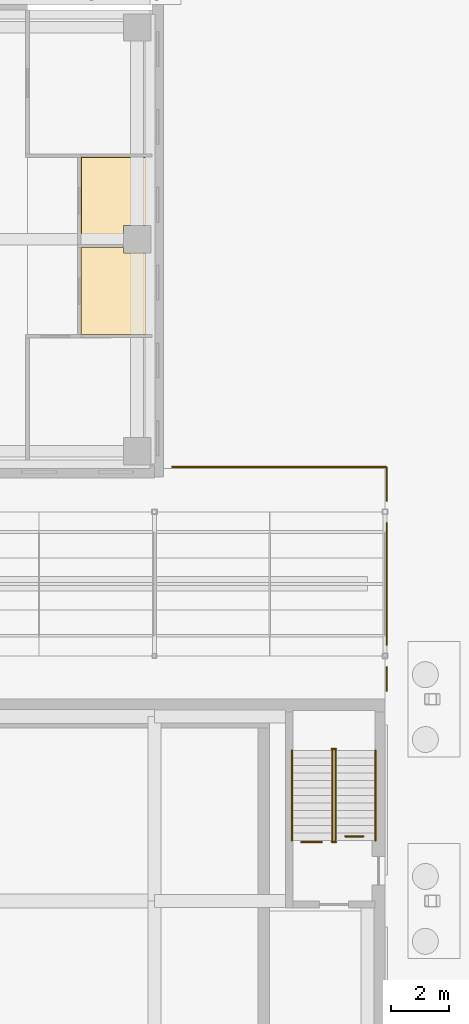
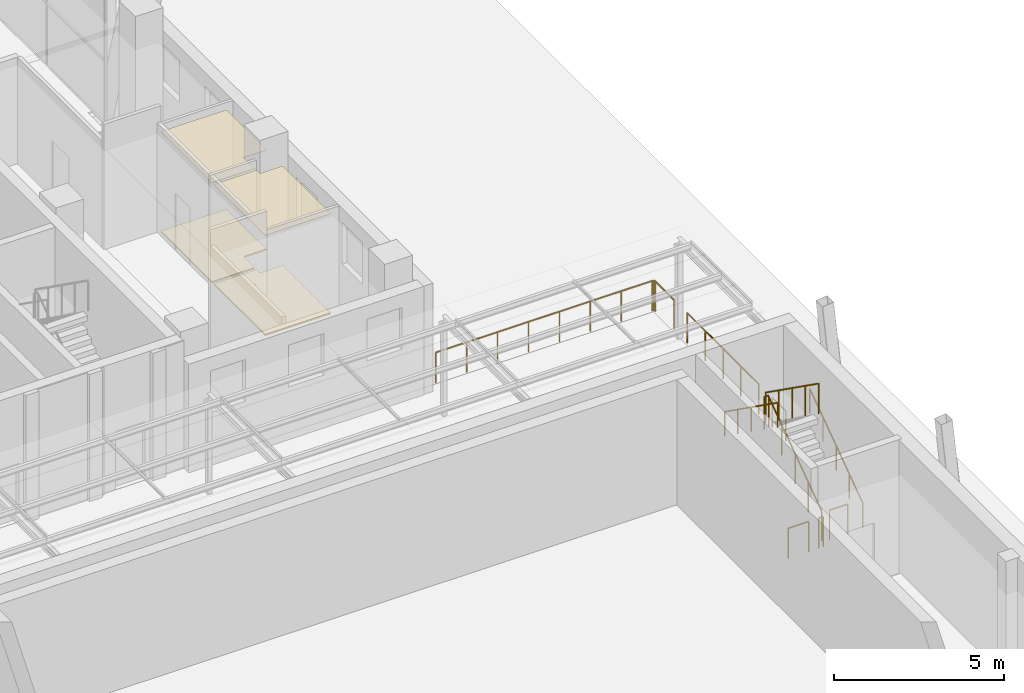
# One storey, part 127 of 144: 11 railings, 4 coverings.
"""IFC4 building model written with IfcOpenShell, lengths in metres."""

from ifc_helpers import new_model, si_unit, direction, frame, origin, origin_2d, place, context, subcontext, project, spatial, polyline, circle, outline, extrude, material, layer, layer_set, type_object, element, save


model = new_model("IFC4")

# Units and contexts
model_context = context("Model", 3, precision=1e-05, world=origin(), true_north=direction((0.0, 1.0)))
body_context = subcontext(model_context, "Body", "Model", "MODEL_VIEW")
ifc_project = project(units=[si_unit("LENGTHUNIT", "METRE"), si_unit("AREAUNIT", "SQUARE_METRE"), si_unit("VOLUMEUNIT", "CUBIC_METRE"), si_unit("PLANEANGLEUNIT", "RADIAN"), si_unit("MASSUNIT", "GRAM", prefix="KILO")], contexts=[model_context])

# Site, building, storey
site_placement = place(None, origin())
site = spatial("IfcSite", under=ifc_project, at=site_placement, CompositionType="ELEMENT")
building_placement = place(site_placement, origin())
building = spatial("IfcBuilding", under=site, at=building_placement, Name="Lantern Court Media Centre", CompositionType="ELEMENT")
storey_placement = place(building_placement, origin())
storey = spatial("IfcBuildingStorey", under=building, at=storey_placement, Name="L00", CompositionType="ELEMENT", Elevation=0.0)

# Coverings
ifc_material_1 = material(Name="Carpet")
ifc_layer_1 = layer(ifc_material_1, 0.050048828125)
ifc_layer_set_1 = layer_set([ifc_layer_1], Name="Carpet")
covering_type_1 = type_object("IfcCoveringType", Name="Carpet floor finish", PredefinedType="FLOORING", material=ifc_layer_set_1)
covering_1_placement = place(storey_placement, origin())
element("IfcCovering", 1, at=covering_1_placement, inside=storey, type_object=covering_type_1, Name="WC Male floor finish", PredefinedType="FLOORING", context=body_context, shape_type="SweptSolid", body=[
    extrude(outline(polyline([(95.699951171875, 52.64599609375), (93.467529296875, 52.64599609375), (93.467529296875, 55.666015625), (94.919921875, 55.666015625), (94.923583984375, 55.47021484375), (95.699951171875, 55.469970703125), (95.699951171875, 52.64599609375)])), origin(), (0.0, 0.0, 1.0), 0.050048828125),
])
covering_2_placement = place(storey_placement, origin())
element("IfcCovering", 2, at=covering_2_placement, inside=storey, type_object=covering_type_1, Name="WC Female floor finish", PredefinedType="FLOORING", context=body_context, shape_type="SweptSolid", body=[
    extrude(outline(polyline([(95.699951171875, 56.429931640625), (94.921875, 56.428955078125), (94.919921875, 55.77587890625), (93.467529296875, 55.77587890625), (93.467529296875, 58.797119140625), (95.699951171875, 58.797119140625), (95.699951171875, 56.429931640625)])), origin(), (0.0, 0.0, 1.0), 0.050048828125),
])

# Railings
ifc_material_2 = material(Name="Powder-coated steel", Category="steel")
railing_type_1 = type_object("IfcRailingType", Name="Floor edge guard 1100", PredefinedType="GUARDRAIL", material=ifc_material_2)
railing_1_placement = place(storey_placement, frame((101.10009765625, 35.040283203125, 0.0)))
element("IfcRailing", 3, at=railing_1_placement, inside=storey, type_object=railing_type_1, Name="L00 opening guard 7", PredefinedType="GUARDRAIL", context=body_context, shape_type="SweptSolid", body=[
    extrude(circle(Radius=0.02392578125, at=origin_2d()), frame((0.0, 0.0, 1.076171875), z_axis=(1.0, 0.0, 0.0), x_axis=(0.0, 1.0, 0.0)), (0.0, 0.0, 1.0), 0.70361328125),
    extrude(circle(Radius=0.02099609375, at=origin_2d()), origin(), (0.0, 0.0, 1.0), 1.052001953125),
    extrude(circle(Radius=0.02099609375, at=origin_2d()), frame((0.70361328125, 0.0, 0.0)), (0.0, 0.0, 1.0), 1.052001953125),
])
railing_2_placement = place(storey_placement, frame((102.6259765625, 35.240478515625, 0.0)))
element("IfcRailing", 4, at=railing_2_placement, inside=storey, type_object=railing_type_1, Name="L00 opening guard 8", PredefinedType="GUARDRAIL", context=body_context, shape_type="SweptSolid", body=[
    extrude(circle(Radius=0.02392578125, at=origin_2d()), frame((0.0, 0.0, 1.076171875), z_axis=(1.0, 0.0, 0.0), x_axis=(0.0, 1.0, 0.0)), (0.0, 0.0, 1.0), 0.6240234375),
    extrude(circle(Radius=0.02099609375, at=origin_2d()), origin(), (0.0, 0.0, 1.0), 1.052001953125),
    extrude(circle(Radius=0.02099609375, at=origin_2d()), frame((0.6240234375, 0.0, 0.0)), (0.0, 0.0, 1.0), 1.052001953125),
])
railing_3_placement = place(storey_placement, frame((104.06005859375, 40.300048828125, 0.0)))
element("IfcRailing", 5, at=railing_3_placement, inside=storey, type_object=railing_type_1, Name="L00 opening guard 14", PredefinedType="GUARDRAIL", context=body_context, shape_type="SweptSolid", body=[
    extrude(circle(Radius=0.02392578125, at=origin_2d()), frame((0.0, 0.0, 1.076171875), z_axis=(0.0, 1.0, 0.0), x_axis=(-1.0, 0.0, 0.0)), (0.0, 0.0, 1.0), 0.81005859375),
    extrude(circle(Radius=0.02099609375, at=origin_2d()), origin(), (0.0, 0.0, 1.0), 1.052001953125),
    extrude(circle(Radius=0.02099609375, at=origin_2d()), frame((0.0, 0.81005859375, 0.0)), (0.0, 0.0, 1.0), 1.052001953125),
])
railing_4_placement = place(storey_placement, frame((104.06005859375, 41.889892578125, 0.0)))
element("IfcRailing", 6, at=railing_4_placement, inside=storey, type_object=railing_type_1, Name="L00 opening guard 15", PredefinedType="GUARDRAIL", context=body_context, shape_type="SweptSolid", body=[
    extrude(circle(Radius=0.02392578125, at=origin_2d()), frame((0.0, 0.0, 1.076171875), z_axis=(0.0, 1.0, 0.0), x_axis=(-1.0, 0.0, 0.0)), (0.0, 0.0, 1.0), 4.22021484375),
    extrude(circle(Radius=0.02099609375, at=origin_2d()), origin(), (0.0, 0.0, 1.0), 1.052001953125),
    extrude(circle(Radius=0.02099609375, at=origin_2d()), frame((0.0, 1.05517578125, 0.0)), (0.0, 0.0, 1.0), 1.052001953125),
    extrude(circle(Radius=0.02099609375, at=origin_2d()), frame((0.0, 2.110107421875, 0.0)), (0.0, 0.0, 1.0), 1.052001953125),
    extrude(circle(Radius=0.02099609375, at=origin_2d()), frame((0.0, 3.1650390625, 0.0)), (0.0, 0.0, 1.0), 1.052001953125),
    extrude(circle(Radius=0.02099609375, at=origin_2d()), frame((0.0, 4.22021484375, 0.0)), (0.0, 0.0, 1.0), 1.052001953125),
])
railing_5_placement = place(storey_placement, frame((104.06005859375, 46.889892578125, 0.0)))
element("IfcRailing", 7, at=railing_5_placement, inside=storey, type_object=railing_type_1, Name="L00 opening guard 16", PredefinedType="GUARDRAIL", context=body_context, shape_type="SweptSolid", body=[
    extrude(circle(Radius=0.02392578125, at=origin_2d()), frame((0.0, 0.0, 1.076171875), z_axis=(0.0, 1.0, 0.0), x_axis=(-1.0, 0.0, 0.0)), (0.0, 0.0, 1.0), 1.110107421875),
    extrude(circle(Radius=0.02392578125, at=origin_2d()), frame((0.0, 1.110107421875, 1.076171875), z_axis=(-0.041630544712, 0.999133073092, 0.0), x_axis=(-0.999133073092, -0.041630544712, 0.0)), (0.0, 0.0, 1.0), 0.005859375),
    extrude(circle(Radius=0.02392578125, at=origin_2d()), frame((-0.000244140625, 1.115966796875, 1.076171875), z_axis=(-0.164398987305, 0.986393923832, 0.0), x_axis=(-0.986393923832, -0.164398987305, 0.0)), (0.0, 0.0, 1.0), 0.005859375),
    extrude(circle(Radius=0.02392578125, at=origin_2d()), frame((-0.001220703125, 1.121826171875, 1.076171875), z_axis=(-0.252421897147, 0.967617272397, 0.0), x_axis=(-0.967617272397, -0.252421897147, 0.0)), (0.0, 0.0, 1.0), 0.005859375),
    extrude(circle(Radius=0.02392578125, at=origin_2d()), frame((-0.002685546875, 1.12744140625, 1.076171875), z_axis=(-0.328520624941, 0.944496796706, 0.0), x_axis=(-0.944496796706, -0.328520624941, 0.0)), (0.0, 0.0, 1.0), 0.005859375),
    extrude(circle(Radius=0.02392578125, at=origin_2d()), frame((-0.004638671875, 1.133056640625, 1.076171875), z_axis=(-0.413802944301, 0.910366477463, 0.0), x_axis=(-0.910366477463, -0.413802944301, 0.0)), (0.0, 0.0, 1.0), 0.005859375),
    extrude(circle(Radius=0.02392578125, at=origin_2d()), frame((-0.007080078125, 1.138427734375, 1.076171875), z_axis=(-0.526354614616, 0.850265146688, 0.0), x_axis=(-0.850265146688, -0.526354614616, 0.0)), (0.0, 0.0, 1.0), 0.006103515625),
    extrude(circle(Radius=0.02392578125, at=origin_2d()), frame((-0.01025390625, 1.1435546875, 1.076171875), z_axis=(-0.59319903805, 0.805055837353, 0.0), x_axis=(-0.805055837353, -0.59319903805, 0.0)), (0.0, 0.0, 1.0), 0.005859375),
    extrude(circle(Radius=0.02392578125, at=origin_2d()), frame((-0.013671875, 1.148193359375, 1.076171875), z_axis=(-0.66436383883, 0.747409318684, 0.0), x_axis=(-0.747409318684, -0.66436383883, 0.0)), (0.0, 0.0, 1.0), 0.005859375),
    extrude(circle(Radius=0.02392578125, at=origin_2d()), frame((-0.017578125, 1.152587890625, 1.076171875), z_axis=(-0.747409318684, 0.66436383883, 0.0), x_axis=(-0.66436383883, -0.747409318684, 0.0)), (0.0, 0.0, 1.0), 0.005859375),
    extrude(circle(Radius=0.02392578125, at=origin_2d()), frame((-0.02197265625, 1.156494140625, 1.076171875), z_axis=(-0.805055837353, 0.59319903805, 0.0), x_axis=(-0.59319903805, -0.805055837353, 0.0)), (0.0, 0.0, 1.0), 0.005859375),
    extrude(circle(Radius=0.02392578125, at=origin_2d()), frame((-0.026611328125, 1.159912109375, 1.076171875), z_axis=(-0.850265146688, 0.526354614616, 0.0), x_axis=(-0.526354614616, -0.850265146688, 0.0)), (0.0, 0.0, 1.0), 0.006103515625),
    extrude(circle(Radius=0.02392578125, at=origin_2d()), frame((-0.03173828125, 1.1630859375, 1.076171875), z_axis=(-0.910366477463, 0.413802944301, 0.0), x_axis=(-0.413802944301, -0.910366477463, 0.0)), (0.0, 0.0, 1.0), 0.005859375),
    extrude(circle(Radius=0.02392578125, at=origin_2d()), frame((-0.037109375, 1.16552734375, 1.076171875), z_axis=(-0.944496796706, 0.328520624941, 0.0), x_axis=(-0.328520624941, -0.944496796706, 0.0)), (0.0, 0.0, 1.0), 0.005859375),
    extrude(circle(Radius=0.02392578125, at=origin_2d()), frame((-0.042724609375, 1.16748046875, 1.076171875), z_axis=(-0.967617272397, 0.252421897147, 0.0), x_axis=(-0.252421897147, -0.967617272397, 0.0)), (0.0, 0.0, 1.0), 0.005859375),
    extrude(circle(Radius=0.02392578125, at=origin_2d()), frame((-0.04833984375, 1.1689453125, 1.076171875), z_axis=(-0.986393923832, 0.164398987305, 0.0), x_axis=(-0.164398987305, -0.986393923832, 0.0)), (0.0, 0.0, 1.0), 0.005859375),
    extrude(circle(Radius=0.02392578125, at=origin_2d()), frame((-0.05419921875, 1.169921875, 1.076171875), z_axis=(-0.999133073092, 0.041630544712, 0.0), x_axis=(-0.041630544712, -0.999133073092, 0.0)), (0.0, 0.0, 1.0), 0.005859375),
    extrude(circle(Radius=0.02392578125, at=origin_2d()), frame((-0.06005859375, 1.170166015625, 1.076171875), z_axis=(-1.0, 0.0, 0.0), x_axis=(0.0, -1.0, 0.0)), (0.0, 0.0, 1.0), 7.3798828125),
    extrude(circle(Radius=0.02099609375, at=origin_2d()), origin(), (0.0, 0.0, 1.0), 1.052001953125),
    extrude(circle(Radius=0.02099609375, at=origin_2d()), frame((0.0, 1.110107421875, 0.0)), (0.0, 0.0, 1.0), 1.052001953125),
    extrude(circle(Radius=0.02099609375, at=origin_2d()), frame((-0.000244140625, 1.115966796875, 0.0)), (0.0, 0.0, 1.0), 1.052001953125),
    extrude(circle(Radius=0.02099609375, at=origin_2d()), frame((-0.001220703125, 1.121826171875, 0.0)), (0.0, 0.0, 1.0), 1.052001953125),
    extrude(circle(Radius=0.02099609375, at=origin_2d()), frame((-0.002685546875, 1.12744140625, 0.0)), (0.0, 0.0, 1.0), 1.052001953125),
    extrude(circle(Radius=0.02099609375, at=origin_2d()), frame((-0.004638671875, 1.133056640625, 0.0)), (0.0, 0.0, 1.0), 1.052001953125),
    extrude(circle(Radius=0.02099609375, at=origin_2d()), frame((-0.007080078125, 1.138427734375, 0.0)), (0.0, 0.0, 1.0), 1.052001953125),
    extrude(circle(Radius=0.02099609375, at=origin_2d()), frame((-0.01025390625, 1.1435546875, 0.0)), (0.0, 0.0, 1.0), 1.052001953125),
    extrude(circle(Radius=0.02099609375, at=origin_2d()), frame((-0.013671875, 1.148193359375, 0.0)), (0.0, 0.0, 1.0), 1.052001953125),
    extrude(circle(Radius=0.02099609375, at=origin_2d()), frame((-0.017578125, 1.152587890625, 0.0)), (0.0, 0.0, 1.0), 1.052001953125),
    extrude(circle(Radius=0.02099609375, at=origin_2d()), frame((-0.02197265625, 1.156494140625, 0.0)), (0.0, 0.0, 1.0), 1.052001953125),
    extrude(circle(Radius=0.02099609375, at=origin_2d()), frame((-0.026611328125, 1.159912109375, 0.0)), (0.0, 0.0, 1.0), 1.052001953125),
    extrude(circle(Radius=0.02099609375, at=origin_2d()), frame((-0.03173828125, 1.1630859375, 0.0)), (0.0, 0.0, 1.0), 1.052001953125),
    extrude(circle(Radius=0.02099609375, at=origin_2d()), frame((-0.037109375, 1.16552734375, 0.0)), (0.0, 0.0, 1.0), 1.052001953125),
    extrude(circle(Radius=0.02099609375, at=origin_2d()), frame((-0.042724609375, 1.16748046875, 0.0)), (0.0, 0.0, 1.0), 1.052001953125),
    extrude(circle(Radius=0.02099609375, at=origin_2d()), frame((-0.04833984375, 1.1689453125, 0.0)), (0.0, 0.0, 1.0), 1.052001953125),
    extrude(circle(Radius=0.02099609375, at=origin_2d()), frame((-0.05419921875, 1.169921875, 0.0)), (0.0, 0.0, 1.0), 1.052001953125),
    extrude(circle(Radius=0.02099609375, at=origin_2d()), frame((-0.06005859375, 1.170166015625, 0.0)), (0.0, 0.0, 1.0), 1.052001953125),
    extrude(circle(Radius=0.02099609375, at=origin_2d()), frame((-1.1142578125, 1.170166015625, 0.0)), (0.0, 0.0, 1.0), 1.052001953125),
    extrude(circle(Radius=0.02099609375, at=origin_2d()), frame((-2.168701171875, 1.170166015625, 0.0)), (0.0, 0.0, 1.0), 1.052001953125),
    extrude(circle(Radius=0.02099609375, at=origin_2d()), frame((-3.222900390625, 1.170166015625, 0.0)), (0.0, 0.0, 1.0), 1.052001953125),
    extrude(circle(Radius=0.02099609375, at=origin_2d()), frame((-4.277099609375, 1.170166015625, 0.0)), (0.0, 0.0, 1.0), 1.052001953125),
    extrude(circle(Radius=0.02099609375, at=origin_2d()), frame((-5.331298828125, 1.170166015625, 0.0)), (0.0, 0.0, 1.0), 1.052001953125),
    extrude(circle(Radius=0.02099609375, at=origin_2d()), frame((-6.3857421875, 1.170166015625, 0.0)), (0.0, 0.0, 1.0), 1.052001953125),
    extrude(circle(Radius=0.02099609375, at=origin_2d()), frame((-7.43994140625, 1.170166015625, 0.0)), (0.0, 0.0, 1.0), 1.052001953125),
])
railing_type_2 = type_object("IfcRailingType", Name="Stair guard 1100", PredefinedType="GUARDRAIL", material=ifc_material_2)
railing_6_placement = place(storey_placement, frame((102.27587890625, 35.10009765625, 0.1845703125)))
element("IfcRailing", 8, at=railing_6_placement, inside=storey, type_object=railing_type_2, Name="L00 ST-V2-ST-E stair guard 1", PredefinedType="GUARDRAIL", context=body_context, shape_type="SweptSolid", body=[
    extrude(circle(Radius=0.02392578125, at=origin_2d()), frame((0.0, 0.0, 1.076171875), z_axis=(0.0, 0.815355575968, 0.57896052088), x_axis=(-1.0, 0.0, 0.0)), (0.0, 0.0, 1.0), 3.826416015625),
    extrude(circle(Radius=0.02099609375, at=origin_2d()), origin(), (0.0, 0.0, 1.0), 1.052001953125),
    extrude(circle(Radius=0.02099609375, at=origin_2d()), frame((0.0, 0.780029296875, 0.5537109375)), (0.0, 0.0, 1.0), 1.052001953125),
    extrude(circle(Radius=0.02099609375, at=origin_2d()), frame((0.0, 1.56005859375, 1.107666015625)), (0.0, 0.0, 1.0), 1.052001953125),
    extrude(circle(Radius=0.02099609375, at=origin_2d()), frame((0.0, 2.33984375, 1.66162109375)), (0.0, 0.0, 1.0), 1.052001953125),
    extrude(circle(Radius=0.02099609375, at=origin_2d()), frame((0.0, 3.119873046875, 2.21533203125)), (0.0, 0.0, 1.0), 1.052001953125),
])
railing_7_placement = place(storey_placement, frame((102.300048828125, 38.27001953125, 2.39990234375)))
element("IfcRailing", 9, at=railing_7_placement, inside=storey, type_object=railing_type_2, Name="L00 ST-V2-ST-E stair guard 2", PredefinedType="GUARDRAIL", context=body_context, shape_type="SweptSolid", body=[
    extrude(circle(Radius=0.02392578125, at=origin_2d()), frame((0.0, 0.0, 1.076171875), z_axis=(-1.0, 0.0, 0.0), x_axis=(0.0, -1.0, 0.0)), (0.0, 0.0, 1.0), 0.150146484375),
    extrude(circle(Radius=0.02099609375, at=origin_2d()), origin(), (0.0, 0.0, 1.0), 1.052001953125),
    extrude(circle(Radius=0.02099609375, at=origin_2d()), frame((-0.150146484375, 0.0, 0.0)), (0.0, 0.0, 1.0), 1.052001953125),
])
railing_8_placement = place(storey_placement, frame((102.174072265625, 38.219970703125, 2.584716796875)))
element("IfcRailing", 10, at=railing_8_placement, inside=storey, type_object=railing_type_2, Name="L00 ST-V2-ST-E stair guard 3", PredefinedType="GUARDRAIL", context=body_context, shape_type="SweptSolid", body=[
    extrude(circle(Radius=0.02392578125, at=origin_2d()), frame((0.0, 0.0, 1.076171875), z_axis=(0.0, -0.815355575968, 0.57896052088), x_axis=(1.0, 0.0, 0.0)), (0.0, 0.0, 1.0), 3.826416015625),
    extrude(circle(Radius=0.02099609375, at=origin_2d()), origin(), (0.0, 0.0, 1.0), 1.052001953125),
    extrude(circle(Radius=0.02099609375, at=origin_2d()), frame((0.0, -0.780029296875, 0.5537109375)), (0.0, 0.0, 1.0), 1.052001953125),
    extrude(circle(Radius=0.02099609375, at=origin_2d()), frame((0.0, -1.56005859375, 1.107666015625)), (0.0, 0.0, 1.0), 1.052001953125),
    extrude(circle(Radius=0.02099609375, at=origin_2d()), frame((0.0, -2.33984375, 1.66162109375)), (0.0, 0.0, 1.0), 1.052001953125),
    extrude(circle(Radius=0.02099609375, at=origin_2d()), frame((0.0, -3.119873046875, 2.21533203125)), (0.0, 0.0, 1.0), 1.052001953125),
])
railing_9_placement = place(storey_placement, frame((102.300048828125, 35.050048828125, 0.0)))
element("IfcRailing", 11, at=railing_9_placement, inside=storey, type_object=railing_type_2, Name="L00 ST-V2-ST-E stair guard 4", PredefinedType="GUARDRAIL", context=body_context, shape_type="SweptSolid", body=[
    extrude(circle(Radius=0.02392578125, at=origin_2d()), frame((0.0, 0.0, 1.076171875), z_axis=(-1.0, 0.0, 0.0), x_axis=(0.0, -1.0, 0.0)), (0.0, 0.0, 1.0), 0.150146484375),
    extrude(circle(Radius=0.02099609375, at=origin_2d()), origin(), (0.0, 0.0, 1.0), 1.052001953125),
    extrude(circle(Radius=0.02099609375, at=origin_2d()), frame((-0.150146484375, 0.0, 0.0)), (0.0, 0.0, 1.0), 1.052001953125),
])
railing_type_3 = type_object("IfcRailingType", Name="Stair handrail 900", PredefinedType="HANDRAIL", material=ifc_material_2)
railing_10_placement = place(storey_placement, frame((103.674072265625, 35.10009765625, 0.1845703125)))
element("IfcRailing", 12, at=railing_10_placement, inside=storey, type_object=railing_type_3, Name="L00 ST-V2-ST-E stair handrail 1", PredefinedType="HANDRAIL", context=body_context, shape_type="SweptSolid", body=[
    extrude(circle(Radius=0.02392578125, at=origin_2d()), frame((0.0, 0.0, 0.8759765625), z_axis=(0.0, 0.815355575968, 0.57896052088), x_axis=(-1.0, 0.0, 0.0)), (0.0, 0.0, 1.0), 3.826416015625),
    extrude(circle(Radius=0.02099609375, at=origin_2d()), origin(), (0.0, 0.0, 1.0), 0.851806640625),
    extrude(circle(Radius=0.02099609375, at=origin_2d()), frame((0.0, 0.780029296875, 0.5537109375)), (0.0, 0.0, 1.0), 0.851806640625),
    extrude(circle(Radius=0.02099609375, at=origin_2d()), frame((0.0, 1.56005859375, 1.107666015625)), (0.0, 0.0, 1.0), 0.851806640625),
    extrude(circle(Radius=0.02099609375, at=origin_2d()), frame((0.0, 2.33984375, 1.66162109375)), (0.0, 0.0, 1.0), 0.851806640625),
    extrude(circle(Radius=0.02099609375, at=origin_2d()), frame((0.0, 3.119873046875, 2.21533203125)), (0.0, 0.0, 1.0), 0.851806640625),
])
railing_11_placement = place(storey_placement, frame((100.77587890625, 38.219970703125, 2.584716796875)))
element("IfcRailing", 13, at=railing_11_placement, inside=storey, type_object=railing_type_3, Name="L00 ST-V2-ST-E stair handrail 2", PredefinedType="HANDRAIL", context=body_context, shape_type="SweptSolid", body=[
    extrude(circle(Radius=0.02392578125, at=origin_2d()), frame((0.0, 0.0, 0.8759765625), z_axis=(0.0, -0.815355575968, 0.57896052088), x_axis=(1.0, 0.0, 0.0)), (0.0, 0.0, 1.0), 3.826416015625),
    extrude(circle(Radius=0.02099609375, at=origin_2d()), origin(), (0.0, 0.0, 1.0), 0.851806640625),
    extrude(circle(Radius=0.02099609375, at=origin_2d()), frame((0.0, -0.780029296875, 0.5537109375)), (0.0, 0.0, 1.0), 0.851806640625),
    extrude(circle(Radius=0.02099609375, at=origin_2d()), frame((0.0, -1.56005859375, 1.107666015625)), (0.0, 0.0, 1.0), 0.851806640625),
    extrude(circle(Radius=0.02099609375, at=origin_2d()), frame((0.0, -2.33984375, 1.66162109375)), (0.0, 0.0, 1.0), 0.851806640625),
    extrude(circle(Radius=0.02099609375, at=origin_2d()), frame((0.0, -3.119873046875, 2.21533203125)), (0.0, 0.0, 1.0), 0.851806640625),
])

# Coverings
ifc_material_3 = material(Name="Mineral fibre ceiling tile")
ifc_layer_2 = layer(ifc_material_3, 0.02001953125)
ifc_layer_set_2 = layer_set([ifc_layer_2], Name="Mineral fibre ceiling tile")
covering_type_2 = type_object("IfcCoveringType", Name="Suspended ceiling tile", PredefinedType="CEILING", material=ifc_layer_set_2)
covering_3_placement = place(storey_placement, frame((0.0, 0.0, 3.60009765625)))
element("IfcCovering", 14, at=covering_3_placement, inside=storey, type_object=covering_type_2, Name="WC Male ceiling", PredefinedType="CEILING", context=body_context, shape_type="SweptSolid", body=[
    extrude(outline(polyline([(95.699951171875, 52.6416015625), (93.462890625, 52.6416015625), (93.462890625, 55.67041015625), (94.919921875, 55.67041015625), (94.924560546875, 55.721435546875), (94.9248046875, 55.474609375), (95.699951171875, 55.474609375), (95.699951171875, 52.6416015625)])), origin(), (0.0, 0.0, 1.0), 0.02001953125),
])
covering_4_placement = place(storey_placement, frame((0.0, 0.0, 3.60009765625)))
element("IfcCovering", 15, at=covering_4_placement, inside=storey, type_object=covering_type_2, Name="WC Female ceiling", PredefinedType="CEILING", context=body_context, shape_type="SweptSolid", body=[
    extrude(outline(polyline([(95.699951171875, 56.425537109375), (94.924560546875, 56.42529296875), (94.924560546875, 55.721435546875), (94.919921875, 55.771484375), (93.462890625, 55.771484375), (93.462890625, 58.801513671875), (95.699951171875, 58.801513671875), (95.699951171875, 56.425537109375)])), origin(), (0.0, 0.0, 1.0), 0.02001953125),
])

save(model, "model.ifc")
